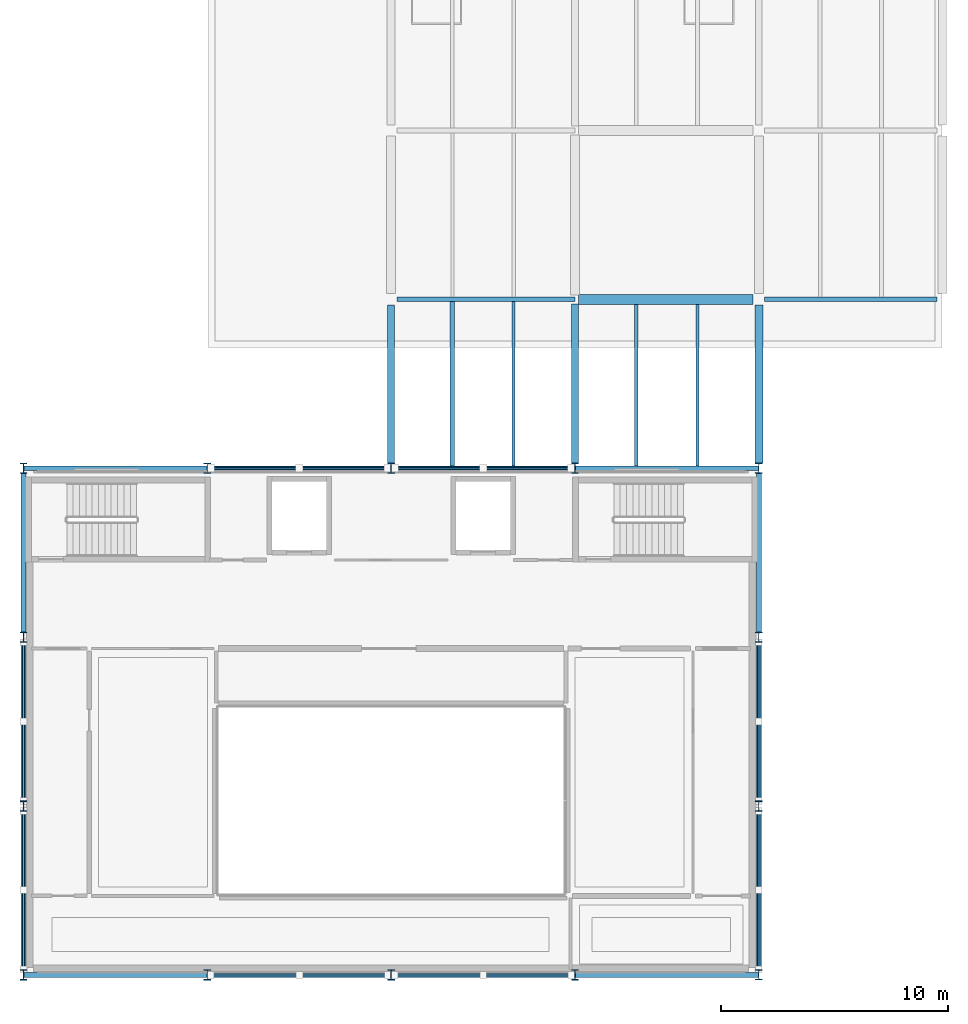
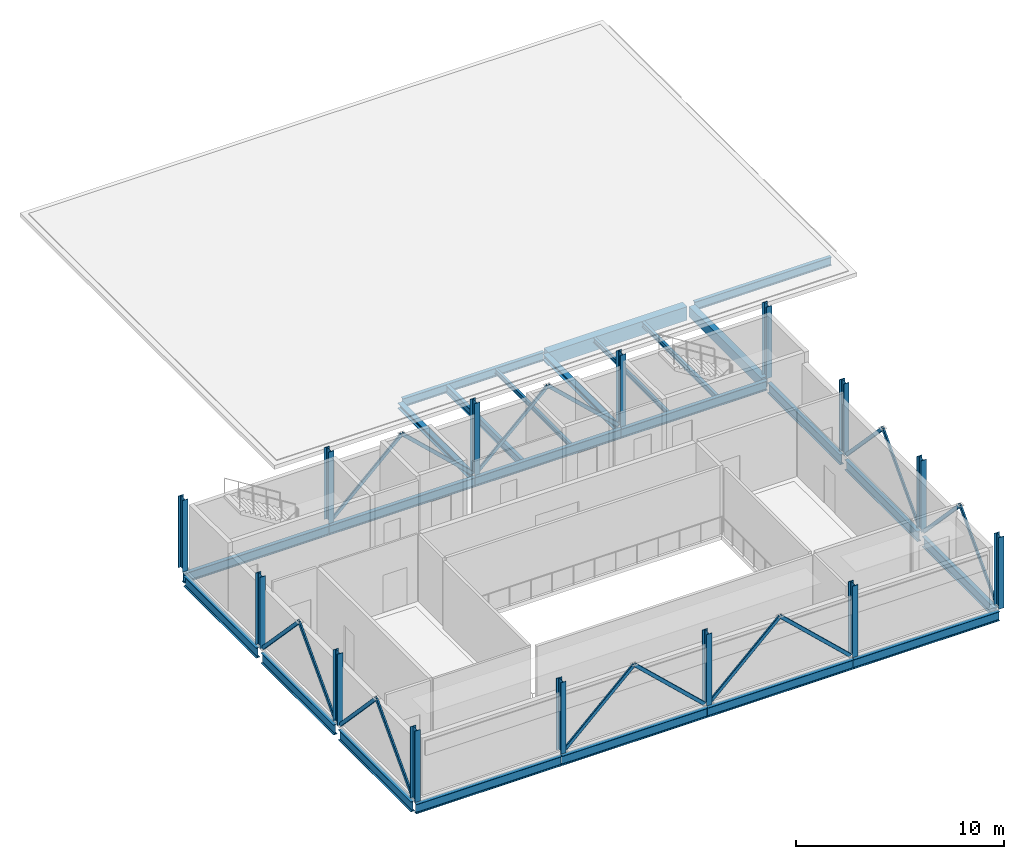
# One storey, part 1 of 7: 24 beams, 16 members, 14 columns.
"""IFC4 building model written with IfcOpenShell, lengths in metres."""

import ifcopenshell
import ifcopenshell.guid

model = None  # the IFC model being written
_history = None  # IfcOwnerHistory: only IFC2X3 demands one
_inside = {}  # id of a spatial element -> (the spatial element, [elements in it])
_under = {}  # id of a project, library or spatial element -> (it, [spatial elements below it])
_declared = {}  # id of a project -> (the project, [libraries it declares])
_typed = {}  # id of a type object -> (the type object, [elements of that type])
_made_of = {}  # id of a material, layer set ... -> (it, [elements and type objects made of it])


def new_model(schema):
    """Start an empty IFC model of exactly this schema.

    Asked for "IFC4X3", IfcOpenShell would pick the latest addendum, in which some entities
    have other attributes; the version numbers below select the first issue.
    IFC2X3 requires an IfcOwnerHistory on every rooted entity: one is made here for all.
    """
    global model, _history
    if schema == "IFC4X3":
        model = ifcopenshell.file(schema_version=(4, 3, 0, 0))
    else:
        model = ifcopenshell.file(schema=schema)
    _inside.clear()
    _under.clear()
    _declared.clear()
    _typed.clear()
    _made_of.clear()
    _history = None
    if model.schema == "IFC2X3":
        org = make("IfcOrganization", Name="unknown")
        user = make(
            "IfcPersonAndOrganization",
            ThePerson=make("IfcPerson", FamilyName="unknown"),
            TheOrganization=org,
        )
        app = make(
            "IfcApplication",
            ApplicationDeveloper=org,
            Version="unknown",
            ApplicationFullName="unknown",
            ApplicationIdentifier="unknown",
        )
        _history = make(
            "IfcOwnerHistory",
            OwningUser=user,
            OwningApplication=app,
            ChangeAction="ADDED",
            CreationDate=0,
        )
    return model


def make(cls, **values):
    """One entity of the class cls with the attributes given. An attribute that is None is left unset."""
    return model.create_entity(
        cls, **{name: value for name, value in values.items() if value is not None}
    )


def rooted(cls, **values):
    """An entity with a GlobalId (a new one), such as an element, a storey or a relation."""
    return make(cls, GlobalId=ifcopenshell.guid.new(), OwnerHistory=_history, **values)


def si_unit(unit_type, name, prefix=None):
    """IfcSIUnit, for example si_unit("LENGTHUNIT", "METRE", prefix="MILLI")."""
    return make("IfcSIUnit", UnitType=unit_type, Prefix=prefix, Name=name)


def assignment(units):
    """IfcUnitAssignment: the units of a project."""
    return None if units is None else make("IfcUnitAssignment", Units=units)


def point(xyz):
    """IfcCartesianPoint."""
    return None if xyz is None else make("IfcCartesianPoint", Coordinates=xyz)


def direction(xyz):
    """IfcDirection."""
    return None if xyz is None else make("IfcDirection", DirectionRatios=xyz)


def frame(location, z_axis=None, x_axis=None):
    """IfcAxis2Placement3D, a coordinate frame: its origin and axes. An axis left out is left unset."""
    return make(
        "IfcAxis2Placement3D",
        Location=point(location),
        Axis=direction(z_axis),
        RefDirection=direction(x_axis),
    )


def frame_2d(location, x_axis=None):
    """IfcAxis2Placement2D, a coordinate frame in the plane: its origin and x axis."""
    return make(
        "IfcAxis2Placement2D", Location=point(location), RefDirection=direction(x_axis)
    )


def origin():
    """The frame at (0, 0, 0) with its axes left unset."""
    return frame((0.0, 0.0, 0.0))


def origin_2d():
    """The frame at (0, 0) in the plane with its x axis left unset."""
    return frame_2d((0.0, 0.0))


def place(relative_to, where):
    """IfcLocalPlacement: puts the frame where relative to a parent placement (None: the world)."""
    return make(
        "IfcLocalPlacement", PlacementRelTo=relative_to, RelativePlacement=where
    )


def context(
    kind, dimensions, precision=None, world=None, true_north=None, identifier=None
):
    """IfcGeometricRepresentationContext, for example the 3D "Model" context."""
    return make(
        "IfcGeometricRepresentationContext",
        ContextIdentifier=identifier,
        ContextType=kind,
        CoordinateSpaceDimension=dimensions,
        Precision=precision,
        WorldCoordinateSystem=world,
        TrueNorth=true_north,
    )


def subcontext(parent, identifier, kind, view, scale=None):
    """IfcGeometricRepresentationSubContext, for example "Body" below "Model"."""
    return make(
        "IfcGeometricRepresentationSubContext",
        ContextIdentifier=identifier,
        ContextType=kind,
        ParentContext=parent,
        TargetScale=scale,
        TargetView=view,
    )


def project(units=None, contexts=None):
    """IfcProject with its units and contexts."""
    return rooted(
        "IfcProject",
        Name="project",
        RepresentationContexts=contexts,
        UnitsInContext=assignment(units),
    )


def spatial(cls, under=None, at=None, **own):
    """A site, building, storey or space (cls), placed at a placement, below another one or the project."""
    s = rooted(cls, ObjectPlacement=at, **own)
    if under is not None:
        _under.setdefault(under.id(), (under, []))[1].append(s)
    return s


def profile(cls, at=None, kind="AREA", **sizes):
    """A parametric profile (cls). Its sizes go by their IFC names, for example OverallWidth=200.0."""
    return make(cls, ProfileType=kind, Position=at, **sizes)


def rectangle(**sizes):
    """IfcRectangleProfileDef."""
    return profile("IfcRectangleProfileDef", **sizes)


def hollow_rectangle(**sizes):
    """IfcRectangleHollowProfileDef."""
    return profile("IfcRectangleHollowProfileDef", **sizes)


def i_section(**sizes):
    """IfcIShapeProfileDef."""
    return profile("IfcIShapeProfileDef", **sizes)


def extrude(swept, where, along, depth):
    """IfcExtrudedAreaSolid: the profile swept, set in the frame where, extruded along a direction by depth."""
    return make(
        "IfcExtrudedAreaSolid",
        SweptArea=swept,
        Position=where,
        ExtrudedDirection=direction(along),
        Depth=depth,
    )


def shape(context_of_items, identifier, shape_type, items):
    """IfcShapeRepresentation: the items that make up one representation, for example the "Body"."""
    return make(
        "IfcShapeRepresentation",
        ContextOfItems=context_of_items,
        RepresentationIdentifier=identifier,
        RepresentationType=shape_type,
        Items=items,
    )


def material(Name=None, Category=None):
    """IfcMaterial."""
    return make("IfcMaterial", Name=Name, Category=Category)


def material_profile(
    of_material, cross_section, Name=None, Category=None, Priority=None
):
    """IfcMaterialProfile: a cross section and its material."""
    return make(
        "IfcMaterialProfile",
        Name=Name,
        Material=of_material,
        Profile=cross_section,
        Priority=Priority,
        Category=Category,
    )


def profile_set(profiles, Name=None, composite=None):
    """IfcMaterialProfileSet."""
    return make(
        "IfcMaterialProfileSet",
        Name=Name,
        MaterialProfiles=profiles,
        CompositeProfile=composite,
    )


def made_of(thing, what):
    """Note that an element or type object is made of a material, layer set ...; save() writes the relation."""
    if what is not None:
        _made_of.setdefault(what.id(), (what, []))[1].append(thing)
    return thing


def type_object(cls, material=None, **own):
    """A type object (cls), such as IfcWallType, which elements share."""
    return made_of(rooted(cls, **own), material)


def element(
    cls,
    number,
    at=None,
    inside=None,
    cuts=None,
    type_object=None,
    material=None,
    context=None,
    identifier="Body",
    shape_type=None,
    held_by="IfcProductDefinitionShape",
    body=None,
    shapes=None,
    **own,
):
    """One element of the class cls, such as IfcWall. Its Tag is "e" and its number.

    at: its placement. inside: the storey or other place that contains it. cuts: it is an
    opening in that element (IfcRelVoidsElement). A single representation is given by context,
    identifier, shape_type and body (its items); several are given by shapes. held_by: the class
    of the entity that holds the representations. save() writes the other relations.
    """
    e = rooted(cls, Tag="e%d" % number, ObjectPlacement=at, **own)
    if body is not None:
        shapes = [shape(context, identifier, shape_type, body)]
    if shapes is not None:
        e.Representation = make(held_by, Representations=shapes)
    if inside is not None:
        _inside.setdefault(inside.id(), (inside, []))[1].append(e)
    if cuts is not None:
        rooted(
            "IfcRelVoidsElement", RelatingBuildingElement=cuts, RelatedOpeningElement=e
        )
    if type_object is not None:
        _typed.setdefault(type_object.id(), (type_object, []))[1].append(e)
    return made_of(e, material)


def aggregate(whole, parts):
    """IfcRelAggregates: a whole, such as a stair, and the parts it consists of."""
    return rooted("IfcRelAggregates", RelatingObject=whole, RelatedObjects=parts)


def save(model, path):
    """Write the relations noted so far, then the file.

    IfcRelAggregates (storeys below a building ...), IfcRelContainedInSpatialStructure (elements
    in a storey), IfcRelDefinesByType, IfcRelAssociatesMaterial and IfcRelDeclares: one each for
    every whole, place, type object, material and project.
    """
    for whole, parts in _under.values():
        aggregate(whole, parts)
    for where, things in _inside.values():
        rooted(
            "IfcRelContainedInSpatialStructure",
            RelatedElements=things,
            RelatingStructure=where,
        )
    for kind, things in _typed.values():
        rooted("IfcRelDefinesByType", RelatedObjects=things, RelatingType=kind)
    for what, things in _made_of.values():
        rooted("IfcRelAssociatesMaterial", RelatedObjects=things, RelatingMaterial=what)
    for by, libraries in _declared.values():
        rooted("IfcRelDeclares", RelatingContext=by, RelatedDefinitions=libraries)
    model.write(path)


model = new_model("IFC4")

# Units and contexts
model_context = context("Model", 3, precision=1e-05, world=origin(), true_north=direction((0.0, 1.0)))
body_context = subcontext(model_context, "Body", "Model", "MODEL_VIEW")
ifc_project = project(units=[si_unit("LENGTHUNIT", "METRE"), si_unit("AREAUNIT", "SQUARE_METRE"), si_unit("VOLUMEUNIT", "CUBIC_METRE"), si_unit("PLANEANGLEUNIT", "RADIAN"), si_unit("MASSUNIT", "GRAM", prefix="KILO")], contexts=[model_context])

# Site, building, storey
site_placement = place(None, origin())
site = spatial("IfcSite", under=ifc_project, at=site_placement, CompositionType="ELEMENT")
building_placement = place(site_placement, origin())
building = spatial("IfcBuilding", under=site, at=building_placement, Name="Kaelora Sail Theatre", CompositionType="ELEMENT")
storey_placement = place(building_placement, frame((0.0, 0.0, 23.39990234375)))
storey = spatial("IfcBuildingStorey", under=building, at=storey_placement, Name="L05", CompositionType="ELEMENT", Elevation=23.39990234375)

# Columns
ifc_material_1 = material(Name="Steel S355", Category="steel")
ifc_material_profile_1 = material_profile(ifc_material_1, i_section(OverallWidth=0.300048828125, OverallDepth=0.449951171875, WebThickness=0.013916015625, FlangeThickness=0.02587890625, FilletRadius=0.027099609375, at=origin_2d()), Name="HEB 450")
ifc_profile_set_1 = profile_set([ifc_material_profile_1], Name="Steel S355")
column_type = type_object("IfcColumnType", Name="STR-COL-C-HEB450", PredefinedType="COLUMN", material=ifc_profile_set_1)
for number, where, z_axis, x_axis, name in (
    (1, (25.800048828125, 61.02001953125, 0.0), (0.0, 0.0, 1.0), (1.0, 0.0, 0.0), "Column 4/I (L05)"),
    (2, (25.800048828125, 68.4599609375, 0.0), (0.0, 0.0, 1.0), (1.0, 0.0, 0.0), "Column 4/J (L05)"),
    (3, (25.800048828125, 75.89990234375, 0.0), (0.0, 0.0, 1.0), (1.0, 0.0, 0.0), "Column 4/K (L05)"),
    (4, (25.800048828125, 83.340087890625, 0.0), (0.0, 0.0, 1.0), (1.0, 0.0, 0.0), "Column 4/L (L05)"),
    (5, (33.89990234375, 61.02001953125, 0.0), (0.0, 0.0, 1.0), (1.0, 0.0, 0.0), "Column 5/I (L05)"),
    (6, (33.89990234375, 83.340087890625, 0.0), (0.0, 0.0, 1.0), (1.0, 0.0, 0.0), "Column 5/L (L05)"),
    (7, (42.0, 61.02001953125, 0.0), (0.0, 0.0, 1.0), (1.0, 0.0, 0.0), "Column 6/I (L05)"),
    (8, (42.0, 83.340087890625, 0.0), (0.0, 0.0, 1.0), (1.0, 0.0, 0.0), "Column 6/L (L05)"),
    (9, (50.10009765625, 61.02001953125, 0.0), (0.0, 0.0, 1.0), (1.0, 0.0, 0.0), "Column 7/I (L05)"),
    (10, (50.10009765625, 83.340087890625, 0.0), (0.0, 0.0, 1.0), (1.0, 0.0, 0.0), "Column 7/L (L05)"),
    (11, (58.199951171875, 61.02001953125, 0.0), (0.0, 0.0, 1.0), (1.0, 0.0, 0.0), "Column 8/I (L05)"),
    (12, (58.199951171875, 68.4599609375, 0.0), (0.0, 0.0, 1.0), (1.0, 0.0, 0.0), "Column 8/J (L05)"),
    (13, (58.199951171875, 75.89990234375, 0.0), (0.0, 0.0, 1.0), (1.0, 0.0, 0.0), "Column 8/K (L05)"),
    (14, (58.199951171875, 83.340087890625, 0.0), (0.0, 0.0, 1.0), (1.0, 0.0, 0.0), "Column 8/L (L05)"),
):
    element("IfcColumn", number, at=place(storey_placement, frame(where, z_axis=z_axis, x_axis=x_axis)), inside=storey, type_object=column_type, Name=name, PredefinedType="COLUMN", context=body_context, shape_type="SweptSolid", body=[
        extrude(i_section(OverallWidth=0.300048828125, OverallDepth=0.449951171875, WebThickness=0.013916015625, FlangeThickness=0.02587890625, FilletRadius=0.027099609375, at=origin_2d()), origin(), (0.0, 0.0, 1.0), 4.2001953125),
    ])

# Beams
ifc_material_2 = material(Name="Steel S355", Category="steel")
ifc_material_profile_2 = material_profile(ifc_material_2, i_section(OverallWidth=0.300048828125, OverallDepth=0.31005859375, WebThickness=0.009033203125, FlangeThickness=0.015380859375, FilletRadius=0.027099609375, at=origin_2d()), Name="HEA 320")
ifc_profile_set_2 = profile_set([ifc_material_profile_2], Name="Steel S355")
beam_type_1 = type_object("IfcBeamType", Name="STR-BM-BM-HEA320", PredefinedType="BEAM", material=ifc_profile_set_2)
beam_1_placement = place(storey_placement, frame((42.0, 83.56494140625, -0.389892578125), z_axis=(0.0, 1.0, 0.0), x_axis=(-1.0, 0.0, 0.0)))
element("IfcBeam", 15, at=beam_1_placement, inside=storey, type_object=beam_type_1, Name="Primary beam 6 L-M (L05)", PredefinedType="BEAM", context=body_context, shape_type="SweptSolid", body=[
    extrude(i_section(OverallWidth=0.300048828125, OverallDepth=0.31005859375, WebThickness=0.009033203125, FlangeThickness=0.015380859375, FilletRadius=0.027099609375, at=origin_2d()), origin(), (0.0, 0.0, 1.0), 6.965087890625),
])
beam_2_placement = place(storey_placement, frame((50.10009765625, 83.56494140625, -0.389892578125), z_axis=(0.0, 1.0, 0.0), x_axis=(-1.0, 0.0, 0.0)))
element("IfcBeam", 16, at=beam_2_placement, inside=storey, type_object=beam_type_1, Name="Primary beam 7 L-M (L05)", PredefinedType="BEAM", context=body_context, shape_type="SweptSolid", body=[
    extrude(i_section(OverallWidth=0.300048828125, OverallDepth=0.31005859375, WebThickness=0.009033203125, FlangeThickness=0.015380859375, FilletRadius=0.027099609375, at=origin_2d()), origin(), (0.0, 0.0, 1.0), 7.01513671875),
])
ifc_material_3 = material(Name="Steel S355", Category="steel")
ifc_material_profile_3 = material_profile(ifc_material_3, i_section(OverallWidth=0.18994140625, OverallDepth=0.449951171875, WebThickness=0.009521484375, FlangeThickness=0.0146484375, FilletRadius=0.02099609375, at=origin_2d()), Name="IPE 450")
ifc_profile_set_3 = profile_set([ifc_material_profile_3], Name="Steel S355")
beam_type_2 = type_object("IfcBeamType", Name="STR-BM-BM-IPE450", PredefinedType="BEAM", material=ifc_profile_set_3)
beam_3_placement = place(storey_placement, frame((44.699951171875, 83.445068359375, -0.4599609375), z_axis=(0.0, 1.0, 0.0), x_axis=(-1.0, 0.0, 0.0)))
element("IfcBeam", 17, at=beam_3_placement, inside=storey, type_object=beam_type_2, Name="Secondary floor joist 6/L-1 (L05)", PredefinedType="BEAM", context=body_context, shape_type="SweptSolid", body=[
    extrude(i_section(OverallWidth=0.18994140625, OverallDepth=0.449951171875, WebThickness=0.009521484375, FlangeThickness=0.0146484375, FilletRadius=0.02099609375, at=origin_2d()), origin(), (0.0, 0.0, 1.0), 7.23486328125),
])
ifc_material_4 = material(Name="Steel S355", Category="steel")
ifc_material_profile_4 = material_profile(ifc_material_4, i_section(OverallWidth=0.199951171875, OverallDepth=0.5, WebThickness=0.01025390625, FlangeThickness=0.01611328125, FilletRadius=0.02099609375, at=origin_2d()), Name="IPE 500")
ifc_profile_set_4 = profile_set([ifc_material_profile_4], Name="Steel S355")
beam_type_3 = type_object("IfcBeamType", Name="STR-BM-BM-IPE500", PredefinedType="BEAM", material=ifc_profile_set_4)
beam_4_placement = place(storey_placement, frame((42.25, 90.780029296875, -0.48486328125), z_axis=(1.0, 0.0, 0.0), x_axis=(0.0, 1.0, 0.0)))
element("IfcBeam", 18, at=beam_4_placement, inside=storey, type_object=beam_type_3, Name="Primary beam M 6-7 (L05)", PredefinedType="BEAM", context=body_context, shape_type="SweptSolid", body=[
    extrude(i_section(OverallWidth=0.199951171875, OverallDepth=0.5, WebThickness=0.01025390625, FlangeThickness=0.01611328125, FilletRadius=0.02099609375, at=origin_2d()), origin(), (0.0, 0.0, 1.0), 7.841064453125),
])
beam_5_placement = place(storey_placement, frame((58.449951171875, 90.780029296875, -0.48486328125), z_axis=(1.0, 0.0, 0.0), x_axis=(0.0, 1.0, 0.0)))
element("IfcBeam", 19, at=beam_5_placement, inside=storey, type_object=beam_type_3, Name="Primary beam M 8-9 (L05)", PredefinedType="BEAM", context=body_context, shape_type="SweptSolid", body=[
    extrude(i_section(OverallWidth=0.199951171875, OverallDepth=0.5, WebThickness=0.01025390625, FlangeThickness=0.01611328125, FilletRadius=0.02099609375, at=origin_2d()), origin(), (0.0, 0.0, 1.0), 7.60009765625),
])
ifc_material_5 = material(Name="Steel S355", Category="steel")
ifc_material_profile_5 = material_profile(ifc_material_5, i_section(OverallWidth=0.2099609375, OverallDepth=0.550048828125, WebThickness=0.010986328125, FlangeThickness=0.01708984375, FilletRadius=0.02392578125, at=origin_2d()), Name="IPE 550")
ifc_profile_set_5 = profile_set([ifc_material_profile_5], Name="Steel S355")
beam_type_4 = type_object("IfcBeamType", Name="STR-BM-BM-IPE550", PredefinedType="USERDEFINED", material=ifc_profile_set_5)
for number, where, z_axis, x_axis, name in (
    (20, (25.80908203125, 61.02001953125, -0.510009765625), (1.0, 0.0, 0.0), (0.0, 1.0, 0.0), "Primary beam I 4-5 (L05)"),
    (21, (25.80908203125, 83.340087890625, -0.510009765625), (1.0, 0.0, 0.0), (0.0, 1.0, 0.0), "Primary beam L 4-5 (L05)"),
    (22, (33.908935546875, 61.02001953125, -0.510009765625), (1.0, 0.0, 0.0), (0.0, 1.0, 0.0), "Primary beam I 5-6 (L05)"),
    (23, (33.908935546875, 83.340087890625, -0.510009765625), (1.0, 0.0, 0.0), (0.0, 1.0, 0.0), "Primary beam L 5-6 (L05)"),
    (24, (42.009033203125, 61.02001953125, -0.510009765625), (1.0, 0.0, 0.0), (0.0, 1.0, 0.0), "Primary beam I 6-7 (L05)"),
    (25, (42.009033203125, 83.340087890625, -0.510009765625), (1.0, 0.0, 0.0), (0.0, 1.0, 0.0), "Primary beam L 6-7 (L05)"),
    (26, (50.10888671875, 61.02001953125, -0.510009765625), (1.0, 0.0, 0.0), (0.0, 1.0, 0.0), "Primary beam I 7-8 (L05)"),
    (27, (50.10888671875, 83.340087890625, -0.510009765625), (1.0, 0.0, 0.0), (0.0, 1.0, 0.0), "Primary beam L 7-8 (L05)"),
):
    element("IfcBeam", number, at=place(storey_placement, frame(where, z_axis=z_axis, x_axis=x_axis)), inside=storey, type_object=beam_type_4, Name=name, ObjectType="GIRDER", PredefinedType="USERDEFINED", context=body_context, shape_type="SweptSolid", body=[
        extrude(i_section(OverallWidth=0.2099609375, OverallDepth=0.550048828125, WebThickness=0.010986328125, FlangeThickness=0.01708984375, FilletRadius=0.02392578125, at=origin_2d()), origin(), (0.0, 0.0, 1.0), 8.08203125),
    ])
ifc_material_6 = material(Name="Steel S355", Category="steel")
ifc_material_profile_6 = material_profile(ifc_material_6, i_section(OverallWidth=0.219970703125, OverallDepth=0.60009765625, WebThickness=0.011962890625, FlangeThickness=0.01904296875, FilletRadius=0.02392578125, at=origin_2d()), Name="IPE 600")
ifc_profile_set_6 = profile_set([ifc_material_profile_6], Name="Steel S355")
beam_type_5 = type_object("IfcBeamType", Name="STR-BM-BM-IPE600", PredefinedType="USERDEFINED", material=ifc_profile_set_6)
for number, where, z_axis, x_axis, name in (
    (28, (25.800048828125, 61.2451171875, -0.534912109375), (0.0, 1.0, 0.0), (-1.0, 0.0, 0.0), "Primary beam 4 I-J (L05)"),
    (29, (25.800048828125, 68.68505859375, -0.534912109375), (0.0, 1.0, 0.0), (-1.0, 0.0, 0.0), "Primary beam 4 J-K (L05)"),
    (30, (25.800048828125, 76.125, -0.534912109375), (0.0, 1.0, 0.0), (-1.0, 0.0, 0.0), "Primary beam 4 K-L (L05)"),
    (31, (58.199951171875, 61.2451171875, -0.534912109375), (0.0, 1.0, 0.0), (-1.0, 0.0, 0.0), "Primary beam 8 I-J (L05)"),
    (32, (58.199951171875, 68.68505859375, -0.534912109375), (0.0, 1.0, 0.0), (-1.0, 0.0, 0.0), "Primary beam 8 J-K (L05)"),
    (33, (58.199951171875, 76.125, -0.534912109375), (0.0, 1.0, 0.0), (-1.0, 0.0, 0.0), "Primary beam 8 K-L (L05)"),
):
    element("IfcBeam", number, at=place(storey_placement, frame(where, z_axis=z_axis, x_axis=x_axis)), inside=storey, type_object=beam_type_5, Name=name, ObjectType="GIRDER", PredefinedType="USERDEFINED", context=body_context, shape_type="SweptSolid", body=[
        extrude(i_section(OverallWidth=0.219970703125, OverallDepth=0.60009765625, WebThickness=0.011962890625, FlangeThickness=0.01904296875, FilletRadius=0.02392578125, at=origin_2d()), origin(), (0.0, 0.0, 1.0), 6.989990234375),
    ])
ifc_material_7 = material(Name="Concrete C40/50", Category="concrete")
ifc_material_profile_7 = material_profile(ifc_material_7, rectangle(XDim=0.35009765625, YDim=0.60009765625, at=origin_2d()), Name="RC-BM 350x600")
ifc_profile_set_7 = profile_set([ifc_material_profile_7], Name="Concrete C40/50")
beam_type_6 = type_object("IfcBeamType", Name="STR-BM-BM-RC3560", PredefinedType="BEAM", material=ifc_profile_set_7)
beam_6_placement = place(storey_placement, frame((58.199951171875, 83.56494140625, -0.534912109375), z_axis=(0.0, 1.0, 0.0), x_axis=(-1.0, 0.0, 0.0)))
element("IfcBeam", 34, at=beam_6_placement, inside=storey, type_object=beam_type_6, Name="Primary beam 8 L-M (L05)", PredefinedType="BEAM", context=body_context, shape_type="SweptSolid", body=[
    extrude(rectangle(XDim=0.35009765625, YDim=0.60009765625, at=origin_2d()), origin(), (0.0, 0.0, 1.0), 6.965087890625),
])
ifc_material_8 = material(Name="Concrete C45/55", Category="concrete")
ifc_material_profile_8 = material_profile(ifc_material_8, rectangle(XDim=0.449951171875, YDim=0.800048828125, at=origin_2d()), Name="RC-BM 450x800")
ifc_profile_set_8 = profile_set([ifc_material_profile_8], Name="Concrete C45/55")
beam_type_7 = type_object("IfcBeamType", Name="STR-BM-BM-RC4580", PredefinedType="BEAM", material=ifc_profile_set_8)
beam_7_placement = place(storey_placement, frame((50.25, 90.780029296875, -0.635009765625), z_axis=(1.0, 0.0, 0.0), x_axis=(0.0, 1.0, 0.0)))
element("IfcBeam", 35, at=beam_7_placement, inside=storey, type_object=beam_type_7, Name="Primary beam M 7-8 (L05)", PredefinedType="BEAM", context=body_context, shape_type="SweptSolid", body=[
    extrude(rectangle(XDim=0.449951171875, YDim=0.800048828125, at=origin_2d()), origin(), (0.0, 0.0, 1.0), 7.699951171875),
])
ifc_material_9 = material(Name="Steel S355", Category="steel")
ifc_material_profile_9 = material_profile(ifc_material_9, i_section(OverallWidth=0.135009765625, OverallDepth=0.27001953125, WebThickness=0.006591796875, FlangeThickness=0.01025390625, FilletRadius=0.014892578125, at=origin_2d()), Name="IPE 270")
ifc_profile_set_9 = profile_set([ifc_material_profile_9], Name="Steel S355")
beam_type_8 = type_object("IfcBeamType", Name="STR-BM-JS-IPE270", PredefinedType="JOIST", material=ifc_profile_set_9)
beam_8_placement = place(storey_placement, frame((47.39990234375, 83.445068359375, -0.369873046875), z_axis=(0.0, 1.0, 0.0), x_axis=(-1.0, 0.0, 0.0)))
element("IfcBeam", 36, at=beam_8_placement, inside=storey, type_object=beam_type_8, Name="Secondary floor joist 6/L-2 (L05)", PredefinedType="JOIST", context=body_context, shape_type="SweptSolid", body=[
    extrude(i_section(OverallWidth=0.135009765625, OverallDepth=0.27001953125, WebThickness=0.006591796875, FlangeThickness=0.01025390625, FilletRadius=0.014892578125, at=origin_2d()), origin(), (0.0, 0.0, 1.0), 7.23486328125),
])
beam_9_placement = place(storey_placement, frame((52.800048828125, 83.445068359375, -0.369873046875), z_axis=(0.0, 1.0, 0.0), x_axis=(-1.0, 0.0, 0.0)))
element("IfcBeam", 37, at=beam_9_placement, inside=storey, type_object=beam_type_8, Name="Secondary floor joist 7/L-1 (L05)", PredefinedType="JOIST", context=body_context, shape_type="SweptSolid", body=[
    extrude(i_section(OverallWidth=0.135009765625, OverallDepth=0.27001953125, WebThickness=0.006591796875, FlangeThickness=0.01025390625, FilletRadius=0.014892578125, at=origin_2d()), origin(), (0.0, 0.0, 1.0), 7.10986328125),
])
ifc_material_10 = material(Name="Steel S355", Category="steel")
ifc_material_profile_10 = material_profile(ifc_material_10, i_section(OverallWidth=0.14990234375, OverallDepth=0.300048828125, WebThickness=0.007080078125, FlangeThickness=0.0107421875, FilletRadius=0.014892578125, at=origin_2d()), Name="IPE 300")
ifc_profile_set_10 = profile_set([ifc_material_profile_10], Name="Steel S355")
beam_type_9 = type_object("IfcBeamType", Name="STR-BM-JS-IPE300", PredefinedType="JOIST", material=ifc_profile_set_10)
beam_10_placement = place(storey_placement, frame((55.5, 83.445068359375, -0.385009765625), z_axis=(0.0, 1.0, 0.0), x_axis=(-1.0, 0.0, 0.0)))
element("IfcBeam", 38, at=beam_10_placement, inside=storey, type_object=beam_type_9, Name="Secondary floor joist 7/L-2 (L05)", PredefinedType="JOIST", context=body_context, shape_type="SweptSolid", body=[
    extrude(i_section(OverallWidth=0.14990234375, OverallDepth=0.300048828125, WebThickness=0.007080078125, FlangeThickness=0.0107421875, FilletRadius=0.014892578125, at=origin_2d()), origin(), (0.0, 0.0, 1.0), 7.10986328125),
])

# Members
ifc_material_11 = material(Name="Steel S355", Category="steel")
ifc_material_profile_11 = material_profile(ifc_material_11, hollow_rectangle(XDim=0.10009765625, YDim=0.199951171875, WallThickness=0.008056640625, InnerFilletRadius=0.008056640625, OuterFilletRadius=0.01611328125, at=origin_2d()), Name="RHS 200x100x8.0")
ifc_profile_set_11 = profile_set([ifc_material_profile_11], Name="Steel S355")
member_type = type_object("IfcMemberType", Name="STR-MEM-BR-RHS200", PredefinedType="BRACE", material=ifc_profile_set_11)
member_1_placement = place(storey_placement, frame((25.800048828125, 61.280029296875, 0.02001953125), z_axis=(0.0, 0.688510413838, 0.725226454314), x_axis=(-1.0, 0.0, 0.0)))
element("IfcMember", 39, at=member_1_placement, inside=storey, type_object=member_type, Name="Fly Tower chevron brace L05 WS1", PredefinedType="BRACE", context=body_context, shape_type="SweptSolid", body=[
    extrude(hollow_rectangle(XDim=0.10009765625, YDim=0.199951171875, WallThickness=0.008056640625, InnerFilletRadius=0.008056640625, OuterFilletRadius=0.01611328125, at=origin_2d()), origin(), (0.0, 0.0, 1.0), 5.046875),
])
member_2_placement = place(storey_placement, frame((25.800048828125, 68.22998046875, 0.02001953125), z_axis=(0.0, -0.688535855158, 0.725202300163), x_axis=(1.0, 0.0, 0.0)))
element("IfcMember", 40, at=member_2_placement, inside=storey, type_object=member_type, Name="Fly Tower chevron brace L05 WS2", PredefinedType="BRACE", context=body_context, shape_type="SweptSolid", body=[
    extrude(hollow_rectangle(XDim=0.10009765625, YDim=0.199951171875, WallThickness=0.008056640625, InnerFilletRadius=0.008056640625, OuterFilletRadius=0.01611328125, at=origin_2d()), origin(), (0.0, 0.0, 1.0), 5.047119140625),
])
member_3_placement = place(storey_placement, frame((58.199951171875, 61.280029296875, 0.02001953125), z_axis=(0.0, 0.688510413838, 0.725226454314), x_axis=(-1.0, 0.0, 0.0)))
element("IfcMember", 41, at=member_3_placement, inside=storey, type_object=member_type, Name="Fly Tower chevron brace L05 ES1", PredefinedType="BRACE", context=body_context, shape_type="SweptSolid", body=[
    extrude(hollow_rectangle(XDim=0.10009765625, YDim=0.199951171875, WallThickness=0.008056640625, InnerFilletRadius=0.008056640625, OuterFilletRadius=0.01611328125, at=origin_2d()), origin(), (0.0, 0.0, 1.0), 5.046875),
])
member_4_placement = place(storey_placement, frame((58.199951171875, 68.22998046875, 0.02001953125), z_axis=(0.0, -0.688535855158, 0.725202300163), x_axis=(1.0, 0.0, 0.0)))
element("IfcMember", 42, at=member_4_placement, inside=storey, type_object=member_type, Name="Fly Tower chevron brace L05 ES2", PredefinedType="BRACE", context=body_context, shape_type="SweptSolid", body=[
    extrude(hollow_rectangle(XDim=0.10009765625, YDim=0.199951171875, WallThickness=0.008056640625, InnerFilletRadius=0.008056640625, OuterFilletRadius=0.01611328125, at=origin_2d()), origin(), (0.0, 0.0, 1.0), 5.047119140625),
])
for number, where, z_axis, x_axis, name in (
    (43, (25.800048828125, 68.68994140625, 0.02001953125), (0.0, 0.690082978125, 0.723730255898), (-1.0, 0.0, 0.0), "Fly Tower chevron brace L05 WM1"),
    (44, (25.800048828125, 75.669921875, 0.02001953125), (0.0, -0.690082978125, 0.723730255898), (1.0, 0.0, 0.0), "Fly Tower chevron brace L05 WM2"),
    (45, (58.199951171875, 68.68994140625, 0.02001953125), (0.0, 0.690082978125, 0.723730255898), (-1.0, 0.0, 0.0), "Fly Tower chevron brace L05 EM1"),
    (46, (58.199951171875, 75.669921875, 0.02001953125), (0.0, -0.690082978125, 0.723730255898), (1.0, 0.0, 0.0), "Fly Tower chevron brace L05 EM2"),
):
    element("IfcMember", number, at=place(storey_placement, frame(where, z_axis=z_axis, x_axis=x_axis)), inside=storey, type_object=member_type, Name=name, PredefinedType="BRACE", context=body_context, shape_type="SweptSolid", body=[
        extrude(hollow_rectangle(XDim=0.10009765625, YDim=0.199951171875, WallThickness=0.008056640625, InnerFilletRadius=0.008056640625, OuterFilletRadius=0.01611328125, at=origin_2d()), origin(), (0.0, 0.0, 1.0), 5.057373046875),
    ])
member_5_placement = place(storey_placement, frame((34.06005859375, 83.340087890625, 0.02001953125), z_axis=(0.728285870089, 0.0, 0.685273442816), x_axis=(0.0, 1.0, 0.0)))
element("IfcMember", 47, at=member_5_placement, inside=storey, type_object=member_type, Name="Fly Tower north chevron brace L05 N2-1", PredefinedType="BRACE", context=body_context, shape_type="SweptSolid", body=[
    extrude(hollow_rectangle(XDim=0.10009765625, YDim=0.199951171875, WallThickness=0.008056640625, InnerFilletRadius=0.008056640625, OuterFilletRadius=0.01611328125, at=origin_2d()), origin(), (0.0, 0.0, 1.0), 5.341064453125),
])
for number, where, z_axis, x_axis, name in (
    (48, (41.840087890625, 83.340087890625, 0.02001953125), (-0.728307334079, 0.0, 0.685250630884), (0.0, -1.0, 0.0), "Fly Tower north chevron brace L05 N2-2"),
    (49, (42.159912109375, 83.340087890625, 0.02001953125), (0.728307334079, 0.0, 0.685250630884), (0.0, 1.0, 0.0), "Fly Tower north chevron brace L05 N3-1"),
):
    element("IfcMember", number, at=place(storey_placement, frame(where, z_axis=z_axis, x_axis=x_axis)), inside=storey, type_object=member_type, Name=name, PredefinedType="BRACE", context=body_context, shape_type="SweptSolid", body=[
        extrude(hollow_rectangle(XDim=0.10009765625, YDim=0.199951171875, WallThickness=0.008056640625, InnerFilletRadius=0.008056640625, OuterFilletRadius=0.01611328125, at=origin_2d()), origin(), (0.0, 0.0, 1.0), 5.34130859375),
    ])
for number, where, z_axis, x_axis, name in (
    (50, (49.93994140625, 83.340087890625, 0.02001953125), (-0.728285870089, 0.0, 0.685273442816), (0.0, -1.0, 0.0), "Fly Tower north chevron brace L05 N3-2"),
    (51, (34.06005859375, 61.02001953125, 0.02001953125), (0.728285870089, 0.0, 0.685273442816), (0.0, 1.0, 0.0), "Fly Tower south stage-house chevron brace L05 S2-1"),
):
    element("IfcMember", number, at=place(storey_placement, frame(where, z_axis=z_axis, x_axis=x_axis)), inside=storey, type_object=member_type, Name=name, PredefinedType="BRACE", context=body_context, shape_type="SweptSolid", body=[
        extrude(hollow_rectangle(XDim=0.10009765625, YDim=0.199951171875, WallThickness=0.008056640625, InnerFilletRadius=0.008056640625, OuterFilletRadius=0.01611328125, at=origin_2d()), origin(), (0.0, 0.0, 1.0), 5.341064453125),
    ])
for number, where, z_axis, x_axis, name in (
    (52, (41.840087890625, 61.02001953125, 0.02001953125), (-0.728307334079, 0.0, 0.685250630884), (0.0, -1.0, 0.0), "Fly Tower south stage-house chevron brace L05 S2-2"),
    (53, (42.159912109375, 61.02001953125, 0.02001953125), (0.728307334079, 0.0, 0.685250630884), (0.0, 1.0, 0.0), "Fly Tower south stage-house chevron brace L05 S3-1"),
):
    element("IfcMember", number, at=place(storey_placement, frame(where, z_axis=z_axis, x_axis=x_axis)), inside=storey, type_object=member_type, Name=name, PredefinedType="BRACE", context=body_context, shape_type="SweptSolid", body=[
        extrude(hollow_rectangle(XDim=0.10009765625, YDim=0.199951171875, WallThickness=0.008056640625, InnerFilletRadius=0.008056640625, OuterFilletRadius=0.01611328125, at=origin_2d()), origin(), (0.0, 0.0, 1.0), 5.34130859375),
    ])
member_6_placement = place(storey_placement, frame((49.93994140625, 61.02001953125, 0.02001953125), z_axis=(-0.728285870089, 0.0, 0.685273442816), x_axis=(0.0, -1.0, 0.0)))
element("IfcMember", 54, at=member_6_placement, inside=storey, type_object=member_type, Name="Fly Tower south stage-house chevron brace L05 S3-2", PredefinedType="BRACE", context=body_context, shape_type="SweptSolid", body=[
    extrude(hollow_rectangle(XDim=0.10009765625, YDim=0.199951171875, WallThickness=0.008056640625, InnerFilletRadius=0.008056640625, OuterFilletRadius=0.01611328125, at=origin_2d()), origin(), (0.0, 0.0, 1.0), 5.341064453125),
])

save(model, "model.ifc")
